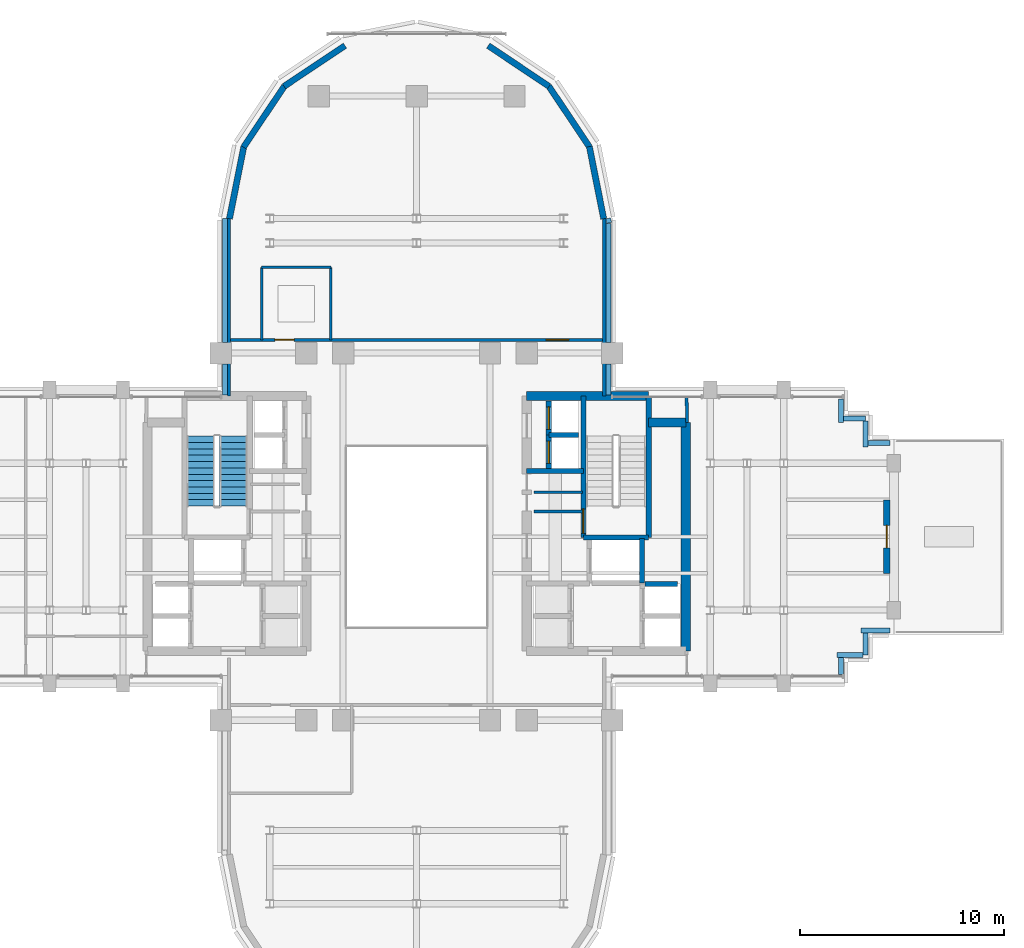
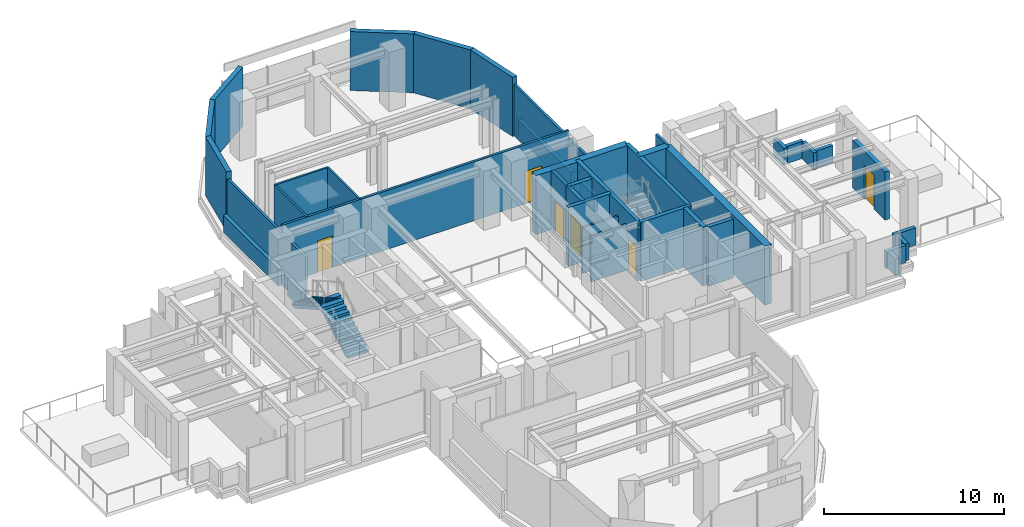
# One storey, part 10 of 16: 41 walls, 6 doors, 2 stair flights, 6 openings, 1 element without a shape of its own.
"""IFC4 building model written with IfcOpenShell, lengths in metres."""

import ifcopenshell
import ifcopenshell.guid

model = None  # the IFC model being written
_history = None  # IfcOwnerHistory: only IFC2X3 demands one
_inside = {}  # id of a spatial element -> (the spatial element, [elements in it])
_under = {}  # id of a project, library or spatial element -> (it, [spatial elements below it])
_declared = {}  # id of a project -> (the project, [libraries it declares])
_typed = {}  # id of a type object -> (the type object, [elements of that type])
_made_of = {}  # id of a material, layer set ... -> (it, [elements and type objects made of it])


def new_model(schema):
    """Start an empty IFC model of exactly this schema.

    Asked for "IFC4X3", IfcOpenShell would pick the latest addendum, in which some entities
    have other attributes; the version numbers below select the first issue.
    IFC2X3 requires an IfcOwnerHistory on every rooted entity: one is made here for all.
    """
    global model, _history
    if schema == "IFC4X3":
        model = ifcopenshell.file(schema_version=(4, 3, 0, 0))
    else:
        model = ifcopenshell.file(schema=schema)
    _inside.clear()
    _under.clear()
    _declared.clear()
    _typed.clear()
    _made_of.clear()
    _history = None
    if model.schema == "IFC2X3":
        org = make("IfcOrganization", Name="unknown")
        user = make(
            "IfcPersonAndOrganization",
            ThePerson=make("IfcPerson", FamilyName="unknown"),
            TheOrganization=org,
        )
        app = make(
            "IfcApplication",
            ApplicationDeveloper=org,
            Version="unknown",
            ApplicationFullName="unknown",
            ApplicationIdentifier="unknown",
        )
        _history = make(
            "IfcOwnerHistory",
            OwningUser=user,
            OwningApplication=app,
            ChangeAction="ADDED",
            CreationDate=0,
        )
    return model


def make(cls, **values):
    """One entity of the class cls with the attributes given. An attribute that is None is left unset."""
    return model.create_entity(
        cls, **{name: value for name, value in values.items() if value is not None}
    )


def rooted(cls, **values):
    """An entity with a GlobalId (a new one), such as an element, a storey or a relation."""
    return make(cls, GlobalId=ifcopenshell.guid.new(), OwnerHistory=_history, **values)


def si_unit(unit_type, name, prefix=None):
    """IfcSIUnit, for example si_unit("LENGTHUNIT", "METRE", prefix="MILLI")."""
    return make("IfcSIUnit", UnitType=unit_type, Prefix=prefix, Name=name)


def assignment(units):
    """IfcUnitAssignment: the units of a project."""
    return None if units is None else make("IfcUnitAssignment", Units=units)


def point(xyz):
    """IfcCartesianPoint."""
    return None if xyz is None else make("IfcCartesianPoint", Coordinates=xyz)


def direction(xyz):
    """IfcDirection."""
    return None if xyz is None else make("IfcDirection", DirectionRatios=xyz)


def frame(location, z_axis=None, x_axis=None):
    """IfcAxis2Placement3D, a coordinate frame: its origin and axes. An axis left out is left unset."""
    return make(
        "IfcAxis2Placement3D",
        Location=point(location),
        Axis=direction(z_axis),
        RefDirection=direction(x_axis),
    )


def frame_2d(location, x_axis=None):
    """IfcAxis2Placement2D, a coordinate frame in the plane: its origin and x axis."""
    return make(
        "IfcAxis2Placement2D", Location=point(location), RefDirection=direction(x_axis)
    )


def origin():
    """The frame at (0, 0, 0) with its axes left unset."""
    return frame((0.0, 0.0, 0.0))


def place(relative_to, where):
    """IfcLocalPlacement: puts the frame where relative to a parent placement (None: the world)."""
    return make(
        "IfcLocalPlacement", PlacementRelTo=relative_to, RelativePlacement=where
    )


def context(
    kind, dimensions, precision=None, world=None, true_north=None, identifier=None
):
    """IfcGeometricRepresentationContext, for example the 3D "Model" context."""
    return make(
        "IfcGeometricRepresentationContext",
        ContextIdentifier=identifier,
        ContextType=kind,
        CoordinateSpaceDimension=dimensions,
        Precision=precision,
        WorldCoordinateSystem=world,
        TrueNorth=true_north,
    )


def subcontext(parent, identifier, kind, view, scale=None):
    """IfcGeometricRepresentationSubContext, for example "Body" below "Model"."""
    return make(
        "IfcGeometricRepresentationSubContext",
        ContextIdentifier=identifier,
        ContextType=kind,
        ParentContext=parent,
        TargetScale=scale,
        TargetView=view,
    )


def project(units=None, contexts=None):
    """IfcProject with its units and contexts."""
    return rooted(
        "IfcProject",
        Name="project",
        RepresentationContexts=contexts,
        UnitsInContext=assignment(units),
    )


def spatial(cls, under=None, at=None, **own):
    """A site, building, storey or space (cls), placed at a placement, below another one or the project."""
    s = rooted(cls, ObjectPlacement=at, **own)
    if under is not None:
        _under.setdefault(under.id(), (under, []))[1].append(s)
    return s


def polyline(points):
    """IfcPolyline through the points."""
    return make("IfcPolyline", Points=[point(p) for p in points])


def profile(cls, at=None, kind="AREA", **sizes):
    """A parametric profile (cls). Its sizes go by their IFC names, for example OverallWidth=200.0."""
    return make(cls, ProfileType=kind, Position=at, **sizes)


def rectangle(**sizes):
    """IfcRectangleProfileDef."""
    return profile("IfcRectangleProfileDef", **sizes)


def outline(outer, holes=None, kind="AREA"):
    """IfcArbitraryClosedProfileDef: a profile drawn as a closed curve; with holes, ...WithVoids."""
    if holes is None:
        return make("IfcArbitraryClosedProfileDef", ProfileType=kind, OuterCurve=outer)
    return make(
        "IfcArbitraryProfileDefWithVoids",
        ProfileType=kind,
        OuterCurve=outer,
        InnerCurves=holes,
    )


def extrude(swept, where, along, depth):
    """IfcExtrudedAreaSolid: the profile swept, set in the frame where, extruded along a direction by depth."""
    return make(
        "IfcExtrudedAreaSolid",
        SweptArea=swept,
        Position=where,
        ExtrudedDirection=direction(along),
        Depth=depth,
    )


def shape(context_of_items, identifier, shape_type, items):
    """IfcShapeRepresentation: the items that make up one representation, for example the "Body"."""
    return make(
        "IfcShapeRepresentation",
        ContextOfItems=context_of_items,
        RepresentationIdentifier=identifier,
        RepresentationType=shape_type,
        Items=items,
    )


def source(mapping_origin, context_of_items, identifier, shape_type, items):
    """IfcRepresentationMap: a shape defined once, which mapped items show again and again."""
    return make(
        "IfcRepresentationMap",
        MappingOrigin=mapping_origin,
        MappedRepresentation=shape(context_of_items, identifier, shape_type, items),
    )


def transform(
    local_origin,
    x_axis=None,
    y_axis=None,
    z_axis=None,
    scale=None,
    scale2=None,
    scale3=None,
    uniform=True,
):
    """IfcCartesianTransformationOperator3D, or its non-uniform kind. x_axis, y_axis, z_axis: its Axis1, 2, 3."""
    if uniform:
        return make(
            "IfcCartesianTransformationOperator3D",
            Axis1=direction(x_axis),
            Axis2=direction(y_axis),
            LocalOrigin=point(local_origin),
            Scale=scale,
            Axis3=direction(z_axis),
        )
    return make(
        "IfcCartesianTransformationOperator3DnonUniform",
        Axis1=direction(x_axis),
        Axis2=direction(y_axis),
        LocalOrigin=point(local_origin),
        Scale=scale,
        Axis3=direction(z_axis),
        Scale2=scale2,
        Scale3=scale3,
    )


def mapped(mapping_source, mapping_target):
    """IfcMappedItem: shows the shape of a source again, moved by a transform."""
    return make(
        "IfcMappedItem", MappingSource=mapping_source, MappingTarget=mapping_target
    )


def material(Name=None, Category=None):
    """IfcMaterial."""
    return make("IfcMaterial", Name=Name, Category=Category)


def layer(
    of_material, thickness, ventilated=None, Name=None, Category=None, Priority=None
):
    """IfcMaterialLayer: one layer of a wall or slab, of a material (None: an air gap)."""
    return make(
        "IfcMaterialLayer",
        Material=of_material,
        LayerThickness=thickness,
        IsVentilated=ventilated,
        Name=Name,
        Category=Category,
        Priority=Priority,
    )


def layer_set(layers, Name=None):
    """IfcMaterialLayerSet."""
    return make("IfcMaterialLayerSet", MaterialLayers=layers, LayerSetName=Name)


def made_of(thing, what):
    """Note that an element or type object is made of a material, layer set ...; save() writes the relation."""
    if what is not None:
        _made_of.setdefault(what.id(), (what, []))[1].append(thing)
    return thing


def type_object(cls, material=None, **own):
    """A type object (cls), such as IfcWallType, which elements share."""
    return made_of(rooted(cls, **own), material)


def element(
    cls,
    number,
    at=None,
    inside=None,
    cuts=None,
    type_object=None,
    material=None,
    context=None,
    identifier="Body",
    shape_type=None,
    held_by="IfcProductDefinitionShape",
    body=None,
    shapes=None,
    **own,
):
    """One element of the class cls, such as IfcWall. Its Tag is "e" and its number.

    at: its placement. inside: the storey or other place that contains it. cuts: it is an
    opening in that element (IfcRelVoidsElement). A single representation is given by context,
    identifier, shape_type and body (its items); several are given by shapes. held_by: the class
    of the entity that holds the representations. save() writes the other relations.
    """
    e = rooted(cls, Tag="e%d" % number, ObjectPlacement=at, **own)
    if body is not None:
        shapes = [shape(context, identifier, shape_type, body)]
    if shapes is not None:
        e.Representation = make(held_by, Representations=shapes)
    if inside is not None:
        _inside.setdefault(inside.id(), (inside, []))[1].append(e)
    if cuts is not None:
        rooted(
            "IfcRelVoidsElement", RelatingBuildingElement=cuts, RelatedOpeningElement=e
        )
    if type_object is not None:
        _typed.setdefault(type_object.id(), (type_object, []))[1].append(e)
    return made_of(e, material)


def fill(opening, filler):
    """IfcRelFillsElement: the door or window that sits in an opening."""
    return rooted(
        "IfcRelFillsElement",
        RelatingOpeningElement=opening,
        RelatedBuildingElement=filler,
    )


def aggregate(whole, parts):
    """IfcRelAggregates: a whole, such as a stair, and the parts it consists of."""
    return rooted("IfcRelAggregates", RelatingObject=whole, RelatedObjects=parts)


def save(model, path):
    """Write the relations noted so far, then the file.

    IfcRelAggregates (storeys below a building ...), IfcRelContainedInSpatialStructure (elements
    in a storey), IfcRelDefinesByType, IfcRelAssociatesMaterial and IfcRelDeclares: one each for
    every whole, place, type object, material and project.
    """
    for whole, parts in _under.values():
        aggregate(whole, parts)
    for where, things in _inside.values():
        rooted(
            "IfcRelContainedInSpatialStructure",
            RelatedElements=things,
            RelatingStructure=where,
        )
    for kind, things in _typed.values():
        rooted("IfcRelDefinesByType", RelatedObjects=things, RelatingType=kind)
    for what, things in _made_of.values():
        rooted("IfcRelAssociatesMaterial", RelatedObjects=things, RelatingMaterial=what)
    for by, libraries in _declared.values():
        rooted("IfcRelDeclares", RelatingContext=by, RelatedDefinitions=libraries)
    model.write(path)


model = new_model("IFC4")

# Units and contexts
model_context = context("Model", 3, precision=1e-05, world=origin(), true_north=direction((0.0, 1.0)))
body_context = subcontext(model_context, "Body", "Model", "MODEL_VIEW")
ifc_project = project(units=[si_unit("LENGTHUNIT", "METRE"), si_unit("AREAUNIT", "SQUARE_METRE"), si_unit("VOLUMEUNIT", "CUBIC_METRE"), si_unit("PLANEANGLEUNIT", "RADIAN"), si_unit("MASSUNIT", "GRAM", prefix="KILO")], contexts=[model_context])

# Site, building, storey
site_placement = place(None, origin())
site = spatial("IfcSite", under=ifc_project, at=site_placement, CompositionType="ELEMENT")
building_placement = place(site_placement, origin())
building = spatial("IfcBuilding", under=site, at=building_placement, Name="Keilestroom Media Tower", CompositionType="ELEMENT")
storey_placement = place(building_placement, frame((0.0, 0.0, 93.0)))
storey = spatial("IfcBuildingStorey", under=building, at=storey_placement, Name="L24", CompositionType="ELEMENT", Elevation=93.0)

# Walls
ifc_material_1 = material(Name="Precast concrete C40/50", Category="concrete")
ifc_layer_1 = layer(ifc_material_1, 0.300048828125)
ifc_layer_set_1 = layer_set([ifc_layer_1], Name="Precast concrete C40/50")
wall_type_1 = type_object("IfcWallType", Name="Exterior-Masonry-Spandrel-Wall-300", PredefinedType="SOLIDWALL", material=ifc_layer_set_1)
for number, where, z_axis, x_axis, name in (
    (1, (9.1748046875, 15.585205078125, 0.0), (0.0, 0.0, 1.0), (-0.195114232679, 0.980780523974, 0.0), "L24 Lobe Facet Precast Frame Wall 01"),
    (2, (8.48193359375, 19.097412109375, 0.0), (0.0, 0.0, 1.0), (-0.555574187116, 0.831466970246, 0.0), "L24 Lobe Facet Precast Frame Wall 02"),
):
    element("IfcWall", number, at=place(storey_placement, frame(where, z_axis=z_axis, x_axis=x_axis)), inside=storey, type_object=wall_type_1, Name=name, PredefinedType="SOLIDWALL", context=body_context, shape_type="SweptSolid", body=[
        extrude(rectangle(XDim=3.608642578125, YDim=0.300048828125, at=frame_2d((1.80419921875, 0.0))), origin(), (0.0, 0.0, 1.0), 4.0),
    ])
for number, where, z_axis, x_axis, name in (
    (3, (6.497802734375, 22.0771484375, 0.0), (0.0, 0.0, 1.0), (-0.8314749531, 0.555562239868, 0.0), "L24 Lobe Facet Precast Frame Wall 03"),
    (4, (-3.510009765625, 24.073486328125, 0.0), (0.0, 0.0, 1.0), (-0.8314749531, -0.555562239868, 0.0), "L24 Lobe Facet Precast Frame Wall 04"),
):
    element("IfcWall", number, at=place(storey_placement, frame(where, z_axis=z_axis, x_axis=x_axis)), inside=storey, type_object=wall_type_1, Name=name, PredefinedType="SOLIDWALL", context=body_context, shape_type="SweptSolid", body=[
        extrude(rectangle(XDim=3.59326171875, YDim=0.300048828125, at=frame_2d((1.796630859375, 0.0))), origin(), (0.0, 0.0, 1.0), 4.0),
    ])
for number, where, z_axis, x_axis, name in (
    (5, (-6.47705078125, 22.097900390625, 0.0), (0.0, 0.0, 1.0), (-0.555574187116, -0.831466970246, 0.0), "L24 Lobe Facet Precast Frame Wall 05"),
    (6, (-8.470703125, 19.12451171875, 0.0), (0.0, 0.0, 1.0), (-0.195114232679, -0.980780523974, 0.0), "L24 Lobe Facet Precast Frame Wall 06"),
):
    element("IfcWall", number, at=place(storey_placement, frame(where, z_axis=z_axis, x_axis=x_axis)), inside=storey, type_object=wall_type_1, Name=name, PredefinedType="SOLIDWALL", context=body_context, shape_type="SweptSolid", body=[
        extrude(rectangle(XDim=3.608642578125, YDim=0.300048828125, at=frame_2d((1.80419921875, 0.0))), origin(), (0.0, 0.0, 1.0), 4.0),
    ])

# Wall, opening, door
wall_1_placement = place(storey_placement, frame((23.050048828125, -1.800048828125, 0.0), z_axis=(0.0, 0.0, 1.0), x_axis=(0.0, 1.0, 0.0)))
wall_1 = element("IfcWall", 7, at=wall_1_placement, inside=storey, type_object=wall_type_1, Name="L24 Terrace Threshold Wall SG24-E", PredefinedType="SOLIDWALL", context=body_context, shape_type="SweptSolid", body=[
    extrude(rectangle(XDim=3.60009765625, YDim=0.300048828125, at=frame_2d((1.800048828125, 0.0))), origin(), (0.0, 0.0, 1.0), 3.25),
])
opening_1_placement = place(wall_1_placement, frame((1.25, 0.0, 0.0)))
opening_1 = element("IfcOpeningElement", 8, at=opening_1_placement, cuts=wall_1, Name="Opening DE-02", PredefinedType="OPENING", context=body_context, shape_type="SweptSolid", body=[
    extrude(rectangle(XDim=1.10009765625, YDim=2.300048828125, at=frame_2d((0.550048828125, 1.14990234375))), frame((0.0, 0.16015625, 0.0), z_axis=(0.0, -1.0, 0.0), x_axis=(1.0, 0.0, 0.0)), (0.0, 0.0, 1.0), 0.320068359375),
])
ifc_material_2 = material(Name="Thermally Broken Aluminium & Laminated Glass", Category="aluminium")
door_type_1 = type_object("IfcDoorType", Name="Exterior-Entrance-And-Terrace-Door-DE-02", OperationType="NOTDEFINED", PredefinedType="DOOR", material=ifc_material_2)
shared_shape_1 = source(origin(), body_context, "Body", "SweptSolid", [
    extrude(rectangle(XDim=1.10009765625, YDim=2.300048828125, at=frame_2d((0.550048828125, 1.14990234375))), frame((0.0, 0.02490234375, 0.0), z_axis=(0.0, -1.0, 0.0), x_axis=(1.0, 0.0, 0.0)), (0.0, 0.0, 1.0), 0.050048828125),
])
door_1_placement = place(opening_1_placement, frame((1.10009765625, 0.0, 0.0), z_axis=(0.0, 0.0, 1.0), x_axis=(-1.0, 0.0, 0.0)))
door_1 = element("IfcDoor", 9, at=door_1_placement, inside=storey, type_object=door_type_1, Name="L24 Terrace Access Door DE-02 SG24-E", OperationType="SINGLE_SWING_RIGHT", OverallHeight=2.300048828125, OverallWidth=1.10009765625, PredefinedType="DOOR", context=body_context, shape_type="MappedRepresentation", body=[
    mapped(shared_shape_1, transform((0.0, 0.0, 0.0), x_axis=(1.0, 0.0, 0.0), y_axis=(0.0, 1.0, 0.0), z_axis=(0.0, 0.0, 1.0), scale=1.0)),
])
fill(opening_1, door_1)

# Walls
ifc_material_3 = material(Name="Gypsum Plasterboard & Steel Stud", Category="steel")
ifc_layer_2 = layer(ifc_material_3, 0.1201171875)
ifc_layer_set_2 = layer_set([ifc_layer_2], Name="Gypsum Plasterboard & Steel Stud")
wall_type_2 = type_object("IfcWallType", Name="Interior-Partition-Wall-120", PredefinedType="PARTITIONING", material=ifc_layer_set_2)
wall_2_placement = place(storey_placement, frame((5.75, 2.179931640625, 0.0), z_axis=(0.0, 0.0, 1.0), x_axis=(1.0, 0.0, 0.0)))
element("IfcWall", 10, at=wall_2_placement, inside=storey, type_object=wall_type_2, Name="L24 Interior Wall WP-L24-CNE-N", PredefinedType="PARTITIONING", context=body_context, shape_type="SweptSolid", body=[
    extrude(rectangle(XDim=2.389892578125, YDim=0.1201171875, at=frame_2d((1.19482421875, 0.0))), origin(), (0.0, 0.0, 1.0), 3.10009765625),
])
wall_3_placement = place(storey_placement, frame((-7.60009765625, 13.199951171875, 0.0), z_axis=(0.0, 0.0, 1.0), x_axis=(1.0, 0.0, 0.0)))
element("IfcWall", 11, at=wall_3_placement, inside=storey, type_object=wall_type_2, Name="L24 Interior Wall WP-L24-NL-WC-N", PredefinedType="PARTITIONING", context=body_context, shape_type="SweptSolid", body=[
    extrude(rectangle(XDim=3.400146484375, YDim=0.1201171875, at=frame_2d((1.7001953125, 0.0))), origin(), (0.0, 0.0, 1.0), 4.0),
])
for number, where, z_axis, x_axis, name in (
    (12, (-7.60009765625, 9.64990234375, 0.0), (0.0, 0.0, 1.0), (0.0, 1.0, 0.0), "L24 Interior Wall WP-L24-NL-WC-W"),
    (13, (-4.199951171875, 9.64990234375, 0.0), (0.0, 0.0, 1.0), (0.0, 1.0, 0.0), "L24 Interior Wall WP-L24-NL-WC-E"),
):
    element("IfcWall", number, at=place(storey_placement, frame(where, z_axis=z_axis, x_axis=x_axis)), inside=storey, type_object=wall_type_2, Name=name, PredefinedType="PARTITIONING", context=body_context, shape_type="SweptSolid", body=[
        extrude(rectangle(XDim=3.550048828125, YDim=0.1201171875, at=frame_2d((1.77490234375, 0.0))), origin(), (0.0, 0.0, 1.0), 4.0),
    ])
ifc_layer_3 = layer(ifc_material_3, 0.14990234375)
ifc_layer_set_3 = layer_set([ifc_layer_3], Name="Gypsum Plasterboard & Steel Stud")
wall_type_3 = type_object("IfcWallType", Name="Interior-Partition-Wall-150", PredefinedType="PARTITIONING", material=ifc_layer_set_3)
wall_4_placement = place(storey_placement, frame((5.75, 1.239990234375, 0.0), z_axis=(0.0, 0.0, 1.0), x_axis=(1.0, 0.0, 0.0)))
element("IfcWall", 14, at=wall_4_placement, inside=storey, type_object=wall_type_3, Name="L24 Interior Wall WP-L24-FFE-TOP", PredefinedType="PARTITIONING", context=body_context, shape_type="SweptSolid", body=[
    extrude(rectangle(XDim=2.389892578125, YDim=0.14990234375, at=frame_2d((1.19482421875, 0.0))), origin(), (0.0, 0.0, 1.0), 3.10009765625),
])

# Wall, openings, doors
wall_5_placement = place(storey_placement, frame((-9.199951171875, 9.64990234375, 0.0), z_axis=(0.0, 0.0, 1.0), x_axis=(1.0, 0.0, 0.0)))
wall_5 = element("IfcWall", 15, at=wall_5_placement, inside=storey, type_object=wall_type_3, Name="L24 Interior Wall WP-L24-NL-BASE", PredefinedType="PARTITIONING", context=body_context, shape_type="SweptSolid", body=[
    extrude(rectangle(XDim=18.39990234375, YDim=0.14990234375, at=frame_2d((9.199951171875, 0.0))), origin(), (0.0, 0.0, 1.0), 4.0),
])
opening_2_placement = place(wall_5_placement, frame((2.25, 0.0, 0.0)))
opening_2 = element("IfcOpeningElement", 16, at=opening_2_placement, cuts=wall_5, Name="Opening DI-03", PredefinedType="OPENING", context=body_context, shape_type="SweptSolid", body=[
    extrude(rectangle(XDim=0.949951171875, YDim=2.14990234375, at=frame_2d((0.47509765625, 1.074951171875))), frame((0.0, 0.0849609375, 0.0), z_axis=(0.0, -1.0, 0.0), x_axis=(1.0, 0.0, 0.0)), (0.0, 0.0, 1.0), 0.169921875),
])
opening_3_placement = place(wall_5_placement, frame((15.550048828125, 0.0, 0.0)))
opening_3 = element("IfcOpeningElement", 17, at=opening_3_placement, cuts=wall_5, Name="Opening DI-04", PredefinedType="OPENING", context=body_context, shape_type="SweptSolid", body=[
    extrude(rectangle(XDim=1.10009765625, YDim=2.199951171875, at=frame_2d((0.550048828125, 1.10009765625))), frame((0.0, 0.0849609375, 0.0), z_axis=(0.0, -1.0, 0.0), x_axis=(1.0, 0.0, 0.0)), (0.0, 0.0, 1.0), 0.169921875),
])
ifc_material_4 = material(Name="Lacquered European Oak Leaf", Category="wood")
door_type_2 = type_object("IfcDoorType", Name="Interior-Room-And-Suite-Door-DI-03", OperationType="NOTDEFINED", PredefinedType="DOOR", material=ifc_material_4)
shared_shape_2 = source(origin(), body_context, "Body", "SweptSolid", [
    extrude(rectangle(XDim=0.949951171875, YDim=2.14990234375, at=frame_2d((0.47509765625, 1.074951171875))), frame((0.0, 0.02490234375, 0.0), z_axis=(0.0, -1.0, 0.0), x_axis=(1.0, 0.0, 0.0)), (0.0, 0.0, 1.0), 0.050048828125),
])
door_2_placement = place(opening_2_placement, origin())
door_2 = element("IfcDoor", 18, at=door_2_placement, inside=storey, type_object=door_type_2, Name="L24 Interior Door DI-L24-DNL-WC", OperationType="SINGLE_SWING_RIGHT", OverallHeight=2.14990234375, OverallWidth=0.949951171875, PredefinedType="DOOR", context=body_context, shape_type="MappedRepresentation", body=[
    mapped(shared_shape_2, transform((0.0, 0.0, 0.0), x_axis=(1.0, 0.0, 0.0), y_axis=(0.0, 1.0, 0.0), z_axis=(0.0, 0.0, 1.0), scale=1.0)),
])
fill(opening_2, door_2)
ifc_material_5 = material(Name="Acoustic Glazed Aluminium Leaf", Category="aluminium")
door_type_3 = type_object("IfcDoorType", Name="Interior-Room-And-Suite-Door-DI-04", OperationType="NOTDEFINED", PredefinedType="DOOR", material=ifc_material_5)
shared_shape_3 = source(origin(), body_context, "Body", "SweptSolid", [
    extrude(rectangle(XDim=1.10009765625, YDim=2.199951171875, at=frame_2d((0.550048828125, 1.10009765625))), frame((0.0, 0.02490234375, 0.0), z_axis=(0.0, -1.0, 0.0), x_axis=(1.0, 0.0, 0.0)), (0.0, 0.0, 1.0), 0.050048828125),
])
door_3_placement = place(opening_3_placement, origin())
door_3 = element("IfcDoor", 19, at=door_3_placement, inside=storey, type_object=door_type_3, Name="L24 Interior Door DI-L24-DNL-HALL", OperationType="SINGLE_SWING_LEFT", OverallHeight=2.199951171875, OverallWidth=1.10009765625, PredefinedType="DOOR", context=body_context, shape_type="MappedRepresentation", body=[
    mapped(shared_shape_3, transform((0.0, 0.0, 0.0), x_axis=(1.0, 0.0, 0.0), y_axis=(0.0, 1.0, 0.0), z_axis=(0.0, 0.0, 1.0), scale=1.0)),
])
fill(opening_3, door_3)

# Walls
for number, where, z_axis, x_axis, name in (
    (20, (-9.199951171875, 6.89990234375, 0.0), (0.0, 0.0, 1.0), (0.0, 1.0, 0.0), "L24 Interior Wall WP-L24-NL-CHKW"),
    (21, (9.199951171875, 6.89990234375, 0.0), (0.0, 0.0, 1.0), (0.0, 1.0, 0.0), "L24 Interior Wall WP-L24-NL-CHKE"),
):
    element("IfcWall", number, at=place(storey_placement, frame(where, z_axis=z_axis, x_axis=x_axis)), inside=storey, type_object=wall_type_3, Name=name, PredefinedType="PARTITIONING", context=body_context, shape_type="SweptSolid", body=[
        extrude(rectangle(XDim=8.780029296875, YDim=0.14990234375, at=frame_2d((4.39013671875, 0.0))), origin(), (0.0, 0.0, 1.0), 3.5),
    ])
wall_6_placement = place(storey_placement, frame((13.260009765625, 5.60009765625, 0.0), z_axis=(0.0, 0.0, 1.0), x_axis=(-0.016013571389, 0.999871774545, 0.0)))
element("IfcWall", 22, at=wall_6_placement, inside=storey, type_object=wall_type_3, Name="L24 Interior Wall WP-L24-EA-ENTN", PredefinedType="PARTITIONING", context=body_context, shape_type="SweptSolid", body=[
    extrude(rectangle(XDim=1.250244140625, YDim=0.14990234375, at=frame_2d((0.625, 0.0))), origin(), (0.0, 0.0, 1.0), 4.0),
])
ifc_material_6 = material(Name="Concrete C55/67", Category="concrete")
ifc_layer_4 = layer(ifc_material_6, 0.449951171875)
ifc_layer_set_4 = layer_set([ifc_layer_4], Name="Concrete C55/67")
wall_type_4 = type_object("IfcWallType", Name="Reinforced-Concrete-Core-Shear-Wall-450", PredefinedType="SHEAR", material=ifc_layer_set_4)
wall_7_placement = place(storey_placement, frame((13.199951171875, -5.60009765625, 0.0), z_axis=(0.0, 0.0, 1.0), x_axis=(0.0, 1.0, 0.0)))
element("IfcWall", 23, at=wall_7_placement, inside=storey, type_object=wall_type_4, Name="L24 Core Shear Wall WL-L24-CORE-E-OUT", PredefinedType="SHEAR", context=body_context, shape_type="SweptSolid", body=[
    extrude(rectangle(XDim=11.2001953125, YDim=0.449951171875, at=frame_2d((5.60009765625, 0.0))), origin(), (0.0, 0.0, 1.0), 4.0),
])
wall_8_placement = place(storey_placement, frame((5.39990234375, 6.89990234375, 0.0), z_axis=(0.0, 0.0, 1.0), x_axis=(1.0, 0.0, 0.0)))
element("IfcWall", 24, at=wall_8_placement, inside=storey, type_object=wall_type_4, Name="L24 Core Shear Wall WL-L24-CORE-E-N", PredefinedType="SHEAR", context=body_context, shape_type="SweptSolid", body=[
    extrude(rectangle(XDim=5.981201171875, YDim=0.449951171875, at=frame_2d((2.99072265625, 0.0))), origin(), (0.0, 0.0, 1.0), 4.0),
])
wall_9_placement = place(storey_placement, frame((11.381103515625, 5.60009765625, 0.0), z_axis=(0.0, 0.0, 1.0), x_axis=(1.0, 0.0, 0.0)))
element("IfcWall", 25, at=wall_9_placement, inside=storey, type_object=wall_type_4, Name="L24 Core Shear Wall WL-L24-CNE-N", PredefinedType="SHEAR", context=body_context, shape_type="SweptSolid", body=[
    extrude(rectangle(XDim=1.81884765625, YDim=0.449951171875, at=frame_2d((0.909423828125, 0.0))), origin(), (0.0, 0.0, 1.0), 4.0),
])
ifc_material_7 = material(Name="Concrete C50/60", Category="concrete")
ifc_layer_5 = layer(ifc_material_7, 0.25)
ifc_layer_set_5 = layer_set([ifc_layer_5], Name="Concrete C50/60")
wall_type_5 = type_object("IfcWallType", Name="Reinforced-Concrete-Shaft-Wall-250", PredefinedType="SOLIDWALL", material=ifc_layer_set_5)
wall_10_placement = place(storey_placement, frame((5.39990234375, 3.219970703125, 0.0), z_axis=(0.0, 0.0, 1.0), x_axis=(1.0, 0.0, 0.0)))
element("IfcWall", 26, at=wall_10_placement, inside=storey, type_object=wall_type_5, Name="L24 Core Shear Wall WL-L24-CORE-E-FFN", PredefinedType="SOLIDWALL", context=body_context, shape_type="SweptSolid", body=[
    extrude(rectangle(XDim=2.780029296875, YDim=0.25, at=frame_2d((1.39013671875, 0.0))), origin(), (0.0, 0.0, 1.0), 4.0),
])

# Wall, opening, door
wall_11_placement = place(storey_placement, frame((8.178955078125, -0.041015625, 0.0), z_axis=(0.0, 0.0, 1.0), x_axis=(0.0, 1.0, 0.0)))
wall_11 = element("IfcWall", 27, at=wall_11_placement, inside=storey, type_object=wall_type_5, Name="L24 Core Shear Wall WL-L24-STW-E-NEAR", PredefinedType="SOLIDWALL", context=body_context, shape_type="SweptSolid", body=[
    extrude(rectangle(XDim=6.94091796875, YDim=0.25, at=frame_2d((3.470458984375, 0.0))), origin(), (0.0, 0.0, 1.0), 4.0),
])
opening_4_placement = place(wall_11_placement, frame((0.199951171875, 0.0, 0.0)))
opening_4 = element("IfcOpeningElement", 28, at=opening_4_placement, cuts=wall_11, Name="Opening DI-01S", PredefinedType="OPENING", context=body_context, shape_type="SweptSolid", body=[
    extrude(rectangle(XDim=1.199951171875, YDim=2.199951171875, at=frame_2d((0.60009765625, 1.10009765625))), frame((0.0, 0.135009765625, 0.0), z_axis=(0.0, -1.0, 0.0), x_axis=(1.0, 0.0, 0.0)), (0.0, 0.0, 1.0), 0.27001953125),
])
ifc_material_8 = material(Name="Powder-Coated Steel Fire Leaf", Category="steel")
door_type_4 = type_object("IfcDoorType", Name="Interior-Stair-And-Core-Fire-Door-DI-01", OperationType="NOTDEFINED", PredefinedType="DOOR", material=ifc_material_8)
shared_shape_4 = source(origin(), body_context, "Body", "SweptSolid", [
    extrude(rectangle(XDim=1.199951171875, YDim=2.199951171875, at=frame_2d((0.60009765625, 1.10009765625))), frame((0.0, 0.02490234375, 0.0), z_axis=(0.0, -1.0, 0.0), x_axis=(1.0, 0.0, 0.0)), (0.0, 0.0, 1.0), 0.050048828125),
])
door_4_placement = place(opening_4_placement, origin())
door_4 = element("IfcDoor", 29, at=door_4_placement, inside=storey, type_object=door_type_4, Name="L24 Escape Stair ST-2 Fire Door", OperationType="SINGLE_SWING_RIGHT", OverallHeight=2.199951171875, OverallWidth=1.199951171875, PredefinedType="DOOR", context=body_context, shape_type="MappedRepresentation", body=[
    mapped(shared_shape_4, transform((0.0, 0.0, 0.0), x_axis=(1.0, 0.0, 0.0), y_axis=(0.0, 1.0, 0.0), z_axis=(0.0, 0.0, 1.0), scale=1.0)),
])
fill(opening_4, door_4)

# Walls
wall_12_placement = place(storey_placement, frame((11.381103515625, -0.041015625, 0.0), z_axis=(0.0, 0.0, 1.0), x_axis=(0.0, 1.0, 0.0)))
element("IfcWall", 30, at=wall_12_placement, inside=storey, type_object=wall_type_5, Name="L24 Core Shear Wall WL-L24-STW-E-FAR", PredefinedType="SOLIDWALL", context=body_context, shape_type="SweptSolid", body=[
    extrude(rectangle(XDim=6.94091796875, YDim=0.25, at=frame_2d((3.470458984375, 0.0))), origin(), (0.0, 0.0, 1.0), 4.0),
])
wall_13_placement = place(storey_placement, frame((8.178955078125, -0.041015625, 0.0), z_axis=(0.0, 0.0, 1.0), x_axis=(1.0, 0.0, 0.0)))
element("IfcWall", 31, at=wall_13_placement, inside=storey, type_object=wall_type_5, Name="L24 Core Shear Wall WL-L24-STW-E-S", PredefinedType="SOLIDWALL", context=body_context, shape_type="SweptSolid", body=[
    extrude(rectangle(XDim=3.2021484375, YDim=0.25, at=frame_2d((1.60107421875, 0.0))), origin(), (0.0, 0.0, 1.0), 4.0),
])
wall_14_placement = place(storey_placement, frame((11.050048828125, -2.280029296875, 0.0), z_axis=(0.0, 0.0, 1.0), x_axis=(0.0, 1.0, 0.0)))
element("IfcWall", 32, at=wall_14_placement, inside=storey, type_object=wall_type_5, Name="L24 Core Shear Wall WL-L24-LSH-FFL-2-E", PredefinedType="SOLIDWALL", context=body_context, shape_type="SweptSolid", body=[
    extrude(rectangle(XDim=2.179931640625, YDim=0.25, at=frame_2d((1.08984375, 0.0))), origin(), (0.0, 0.0, 1.0), 4.0),
])
wall_15_placement = place(storey_placement, frame((11.208984375, -2.320068359375, 0.0), z_axis=(0.0, 0.0, 1.0), x_axis=(1.0, 0.0, 0.0)))
element("IfcWall", 33, at=wall_15_placement, inside=storey, type_object=wall_type_5, Name="L24 Core Shear Wall WL-L24-LSH-PL-L4-N", PredefinedType="SOLIDWALL", context=body_context, shape_type="SweptSolid", body=[
    extrude(rectangle(XDim=1.58203125, YDim=0.25, at=frame_2d((0.791015625, 0.0))), origin(), (0.0, 0.0, 1.0), 4.0),
])

# Wall, opening, door
wall_16_placement = place(storey_placement, frame((6.47998046875, 3.300048828125, 0.0), z_axis=(0.0, 0.0, 1.0), x_axis=(0.0, 1.0, 0.0)))
wall_16 = element("IfcWall", 34, at=wall_16_placement, inside=storey, type_object=wall_type_5, Name="L24 Core Shear Wall WL-L24-LSH-PL-H3-W", PredefinedType="SOLIDWALL", context=body_context, shape_type="SweptSolid", body=[
    extrude(rectangle(XDim=1.679931640625, YDim=0.25, at=frame_2d((0.83984375, 0.0))), origin(), (0.0, 0.0, 1.0), 4.0),
])
opening_5_placement = place(wall_16_placement, frame((0.2900390625, 0.0, 0.0)))
opening_5 = element("IfcOpeningElement", 35, at=opening_5_placement, cuts=wall_16, Name="Opening LD-01", PredefinedType="OPENING", context=body_context, shape_type="SweptSolid", body=[
    extrude(rectangle(XDim=1.10009765625, YDim=2.199951171875, at=frame_2d((0.550048828125, 1.10009765625))), frame((0.0, 0.135009765625, 0.0), z_axis=(0.0, -1.0, 0.0), x_axis=(1.0, 0.0, 0.0)), (0.0, 0.0, 1.0), 0.27001953125),
])
ifc_material_9 = material(Name="Brushed Stainless Steel Sliding Leaf", Category="steel")
door_type_5 = type_object("IfcDoorType", Name="Lift-Landing-Sliding-Door-LD-01", OperationType="SLIDING_TO_LEFT", PredefinedType="DOOR", material=ifc_material_9)
door_5_placement = place(opening_5_placement, origin())
door_5 = element("IfcDoor", 36, at=door_5_placement, inside=storey, type_object=door_type_5, Name="L24 Lift PL-H3 Landing Sliding Door", OperationType="SLIDING_TO_LEFT", OverallHeight=2.199951171875, OverallWidth=1.10009765625, PredefinedType="DOOR", context=body_context, shape_type="MappedRepresentation", body=[
    mapped(shared_shape_3, transform((0.0, 0.0, 0.0), x_axis=(1.0, 0.0, 0.0), y_axis=(0.0, 1.0, 0.0), z_axis=(0.0, 0.0, 1.0), scale=1.0)),
])
fill(opening_5, door_5)

# Wall
wall_17_placement = place(storey_placement, frame((6.47998046875, 4.97998046875, 0.0), z_axis=(0.0, 0.0, 1.0), x_axis=(1.0, 0.0, 0.0)))
element("IfcWall", 37, at=wall_17_placement, inside=storey, type_object=wall_type_5, Name="L24 Core Shear Wall WL-L24-LSH-PL-H3-N", PredefinedType="SOLIDWALL", context=body_context, shape_type="SweptSolid", body=[
    extrude(rectangle(XDim=1.469970703125, YDim=0.25, at=frame_2d((0.73486328125, 0.0))), origin(), (0.0, 0.0, 1.0), 4.0),
])

# Wall, opening, door
wall_18_placement = place(storey_placement, frame((6.47998046875, 4.97998046875, 0.0), z_axis=(0.0, 0.0, 1.0), x_axis=(0.0, 1.0, 0.0)))
wall_18 = element("IfcWall", 38, at=wall_18_placement, inside=storey, type_object=wall_type_5, Name="L24 Core Shear Wall WL-L24-LSH-PL-H4-W", PredefinedType="SOLIDWALL", context=body_context, shape_type="SweptSolid", body=[
    extrude(rectangle(XDim=1.669921875, YDim=0.25, at=frame_2d((0.8349609375, 0.0))), origin(), (0.0, 0.0, 1.0), 4.0),
])
opening_6_placement = place(wall_18_placement, frame((0.284912109375, 0.0, 0.0)))
opening_6 = element("IfcOpeningElement", 39, at=opening_6_placement, cuts=wall_18, Name="Opening LD-01", PredefinedType="OPENING", context=body_context, shape_type="SweptSolid", body=[
    extrude(rectangle(XDim=1.10009765625, YDim=2.199951171875, at=frame_2d((0.550048828125, 1.10009765625))), frame((0.0, 0.135009765625, 0.0), z_axis=(0.0, -1.0, 0.0), x_axis=(1.0, 0.0, 0.0)), (0.0, 0.0, 1.0), 0.27001953125),
])
door_6_placement = place(opening_6_placement, origin())
door_6 = element("IfcDoor", 40, at=door_6_placement, inside=storey, type_object=door_type_5, Name="L24 Lift PL-H4 Landing Sliding Door", OperationType="SLIDING_TO_LEFT", OverallHeight=2.199951171875, OverallWidth=1.10009765625, PredefinedType="DOOR", context=body_context, shape_type="MappedRepresentation", body=[
    mapped(shared_shape_3, transform((0.0, 0.0, 0.0), x_axis=(1.0, 0.0, 0.0), y_axis=(0.0, 1.0, 0.0), z_axis=(0.0, 0.0, 1.0), scale=1.0)),
])
fill(opening_6, door_6)

# Walls
ifc_layer_6 = layer(ifc_material_1, 0.239990234375)
ifc_layer_set_6 = layer_set([ifc_layer_6], Name="Precast concrete C40/50")
wall_type_6 = type_object("IfcWallType", Name="Roof-And-Terrace-Parapet-Wall-240", PredefinedType="PARAPET", material=ifc_layer_set_6)
wall_19_placement = place(storey_placement, frame((23.199951171875, -4.60009765625, 0.0), z_axis=(0.0, 0.0, 1.0), x_axis=(-1.0, 0.0, 0.0)))
element("IfcWall", 41, at=wall_19_placement, inside=storey, type_object=wall_type_6, Name="L24 Perimeter Edge Parapet Wall 01", PredefinedType="PARAPET", context=body_context, shape_type="SweptSolid", body=[
    extrude(rectangle(XDim=1.39990234375, YDim=0.239990234375, at=frame_2d((0.699951171875, 0.0))), origin(), (0.0, 0.0, 1.0), 1.14990234375),
])
wall_20_placement = place(storey_placement, frame((22.0, -4.722900390625, 0.0), z_axis=(0.0, 0.0, 1.0), x_axis=(0.0, -1.0, 0.0)))
element("IfcWall", 42, at=wall_20_placement, inside=storey, type_object=wall_type_6, Name="L24 Perimeter Edge Parapet Wall 02", PredefinedType="PARAPET", context=body_context, shape_type="SweptSolid", body=[
    extrude(rectangle(XDim=1.0771484375, YDim=0.239990234375, at=frame_2d((0.53857421875, 0.0))), origin(), (0.0, 0.0, 1.0), 1.14990234375),
])
wall_21_placement = place(storey_placement, frame((21.876953125, -5.800048828125, 0.0), z_axis=(0.0, 0.0, 1.0), x_axis=(-1.0, 0.0, 0.0)))
element("IfcWall", 43, at=wall_21_placement, inside=storey, type_object=wall_type_6, Name="L24 Perimeter Edge Parapet Wall 03", PredefinedType="PARAPET", context=body_context, shape_type="SweptSolid", body=[
    extrude(rectangle(XDim=1.27685546875, YDim=0.239990234375, at=frame_2d((0.638427734375, 0.0))), origin(), (0.0, 0.0, 1.0), 1.14990234375),
])
wall_22_placement = place(storey_placement, frame((20.800048828125, -5.923095703125, 0.0), z_axis=(0.0, 0.0, 1.0), x_axis=(0.0, -1.0, 0.0)))
element("IfcWall", 44, at=wall_22_placement, inside=storey, type_object=wall_type_6, Name="L24 Perimeter Edge Parapet Wall 04", PredefinedType="PARAPET", context=body_context, shape_type="SweptSolid", body=[
    extrude(rectangle(XDim=0.833984375, YDim=0.239990234375, at=frame_2d((0.4169921875, 0.0))), origin(), (0.0, 0.0, 1.0), 1.14990234375),
])
wall_23_placement = place(storey_placement, frame((-9.39990234375, 6.952880859375, 0.0), z_axis=(0.0, 0.0, 1.0), x_axis=(0.0, 1.0, 0.0)))
element("IfcWall", 45, at=wall_23_placement, inside=storey, type_object=wall_type_6, Name="L24 Perimeter Edge Parapet Wall 19", PredefinedType="PARAPET", context=body_context, shape_type="SweptSolid", body=[
    extrude(rectangle(XDim=1.51904296875, YDim=0.239990234375, at=frame_2d((0.759521484375, 0.0))), origin(), (0.0, 0.0, 1.0), 1.14990234375),
])
wall_24_placement = place(storey_placement, frame((-9.39990234375, 9.528076171875, 0.0), z_axis=(0.0, 0.0, 1.0), x_axis=(0.0, 1.0, 0.0)))
element("IfcWall", 46, at=wall_24_placement, inside=storey, type_object=wall_type_6, Name="L24 Perimeter Edge Parapet Wall 20", PredefinedType="PARAPET", context=body_context, shape_type="SweptSolid", body=[
    extrude(rectangle(XDim=6.07470703125, YDim=0.239990234375, at=frame_2d((3.037353515625, 0.0))), origin(), (0.0, 0.0, 1.0), 1.14990234375),
])
wall_25_placement = place(storey_placement, frame((9.395263671875, 15.604248046875, 0.0), z_axis=(0.0, 0.0, 1.0), x_axis=(0.194652052864, -0.980872355771, 0.0)))
element("IfcWall", 47, at=wall_25_placement, inside=storey, type_object=wall_type_6, Name="L24 Perimeter Edge Parapet Wall 21", PredefinedType="PARAPET", context=body_context, shape_type="SweptSolid", body=[
    extrude(rectangle(XDim=0.224609375, YDim=0.239990234375, at=frame_2d((0.1123046875, 0.0))), origin(), (0.0, 0.0, 1.0), 1.14990234375),
])
wall_26_placement = place(storey_placement, frame((9.39990234375, 15.357666015625, 0.0), z_axis=(0.0, 0.0, 1.0), x_axis=(0.0, -1.0, 0.0)))
element("IfcWall", 48, at=wall_26_placement, inside=storey, type_object=wall_type_6, Name="L24 Perimeter Edge Parapet Wall 22", PredefinedType="PARAPET", context=body_context, shape_type="SweptSolid", body=[
    extrude(rectangle(XDim=5.82958984375, YDim=0.239990234375, at=frame_2d((2.914794921875, 0.0))), origin(), (0.0, 0.0, 1.0), 1.14990234375),
])
wall_27_placement = place(storey_placement, frame((9.39990234375, 8.471923828125, 0.0), z_axis=(0.0, 0.0, 1.0), x_axis=(0.0, -1.0, 0.0)))
element("IfcWall", 49, at=wall_27_placement, inside=storey, type_object=wall_type_6, Name="L24 Perimeter Edge Parapet Wall 23", PredefinedType="PARAPET", context=body_context, shape_type="SweptSolid", body=[
    extrude(rectangle(XDim=1.51904296875, YDim=0.239990234375, at=frame_2d((0.759521484375, 0.0))), origin(), (0.0, 0.0, 1.0), 1.14990234375),
])
wall_28_placement = place(storey_placement, frame((20.800048828125, 6.757080078125, 0.0), z_axis=(0.0, 0.0, 1.0), x_axis=(0.0, -1.0, 0.0)))
element("IfcWall", 50, at=wall_28_placement, inside=storey, type_object=wall_type_6, Name="L24 Perimeter Edge Parapet Wall 24", PredefinedType="PARAPET", context=body_context, shape_type="SweptSolid", body=[
    extrude(rectangle(XDim=1.156982421875, YDim=0.239990234375, at=frame_2d((0.57861328125, 0.0))), origin(), (0.0, 0.0, 1.0), 1.14990234375),
])
wall_29_placement = place(storey_placement, frame((20.923095703125, 5.800048828125, 0.0), z_axis=(0.0, 0.0, 1.0), x_axis=(1.0, 0.0, 0.0)))
element("IfcWall", 51, at=wall_29_placement, inside=storey, type_object=wall_type_6, Name="L24 Perimeter Edge Parapet Wall 25", PredefinedType="PARAPET", context=body_context, shape_type="SweptSolid", body=[
    extrude(rectangle(XDim=1.076904296875, YDim=0.239990234375, at=frame_2d((0.53857421875, 0.0))), origin(), (0.0, 0.0, 1.0), 1.14990234375),
])
wall_30_placement = place(storey_placement, frame((22.0, 5.677001953125, 0.0), z_axis=(0.0, 0.0, 1.0), x_axis=(0.0, -1.0, 0.0)))
element("IfcWall", 52, at=wall_30_placement, inside=storey, type_object=wall_type_6, Name="L24 Perimeter Edge Parapet Wall 26", PredefinedType="PARAPET", context=body_context, shape_type="SweptSolid", body=[
    extrude(rectangle(XDim=1.277099609375, YDim=0.239990234375, at=frame_2d((0.638671875, 0.0))), origin(), (0.0, 0.0, 1.0), 1.14990234375),
])
wall_31_placement = place(storey_placement, frame((22.123046875, 4.60009765625, 0.0), z_axis=(0.0, 0.0, 1.0), x_axis=(1.0, 0.0, 0.0)))
element("IfcWall", 53, at=wall_31_placement, inside=storey, type_object=wall_type_6, Name="L24 Perimeter Edge Parapet Wall 27", PredefinedType="PARAPET", context=body_context, shape_type="SweptSolid", body=[
    extrude(rectangle(XDim=1.076904296875, YDim=0.239990234375, at=frame_2d((0.53857421875, 0.0))), origin(), (0.0, 0.0, 1.0), 1.14990234375),
])

# Stair, stair flights
ifc_material_10 = material(Name="Concrete C45/55", Category="concrete")
stair_type = type_object("IfcStairType", Name="Enclosed-Dog-Leg-Stair-ST-CORE", PredefinedType="HALF_TURN_STAIR", material=ifc_material_10)
stair_placement = place(storey_placement, origin())
stair = element("IfcStair", 54, at=stair_placement, inside=storey, type_object=stair_type, Name="L24 West Core Escape Stair ST-1", PredefinedType="HALF_TURN_STAIR")
stair_flight_type = type_object("IfcStairFlightType", Name="Precast-Concrete-Stair-Flight-Core-160", PredefinedType="STRAIGHT", material=ifc_material_1)
stair_flight_1_placement = place(storey_placement, frame((-8.97998046875, 1.5, 0.0), z_axis=(0.0, 0.0, 1.0), x_axis=(0.0, 1.0, 0.0)))
stair_flight_1 = element("IfcStairFlight", 55, at=stair_flight_1_placement, type_object=stair_flight_type, Name="ST-1 flight 1", NumberOfRisers=12, NumberOfTreads=11, PredefinedType="STRAIGHT", RiserHeight=0.175, TreadLength=0.312, context=body_context, shape_type="SweptSolid", body=[
    extrude(outline(polyline([(0.0, 0.0), (0.0, 0.175048828125), (0.31201171875, 0.175048828125), (0.31201171875, 0.35009765625), (0.6240234375, 0.35009765625), (0.6240234375, 0.52490234375), (0.93603515625, 0.52490234375), (0.93603515625, 0.699951171875), (1.248046875, 0.699951171875), (1.248046875, 0.875), (1.56005859375, 0.875), (1.56005859375, 1.050048828125), (1.8720703125, 1.050048828125), (1.8720703125, 1.22509765625), (2.18408203125, 1.22509765625), (2.18408203125, 1.39990234375), (2.49609375, 1.39990234375), (2.49609375, 1.574951171875), (2.80810546875, 1.574951171875), (2.80810546875, 1.75), (3.1201171875, 1.75), (3.1201171875, 1.925048828125), (3.431884765625, 1.925048828125), (3.431884765625, 2.10009765625), (3.431884765625, 1.74169921875), (0.326904296875, 0.0), (0.0, 0.0)])), frame((0.0, 0.68017578125, 0.0), z_axis=(0.0, -1.0, 0.0), x_axis=(1.0, 0.0, 0.0)), (0.0, 0.0, 1.0), 1.360107421875),
])
stair_flight_2_placement = place(storey_placement, frame((-10.580078125, 4.931884765625, 2.10009765625), z_axis=(0.0, 0.0, 1.0), x_axis=(0.0, -1.0, 0.0)))
stair_flight_2 = element("IfcStairFlight", 56, at=stair_flight_2_placement, type_object=stair_flight_type, Name="ST-1 flight 2", NumberOfRisers=12, NumberOfTreads=11, PredefinedType="STRAIGHT", RiserHeight=0.175, TreadLength=0.312, context=body_context, shape_type="SweptSolid", body=[
    extrude(outline(polyline([(0.0, 0.0), (0.0, 0.175048828125), (0.31201171875, 0.175048828125), (0.31201171875, 0.35009765625), (0.6240234375, 0.35009765625), (0.6240234375, 0.52490234375), (0.93603515625, 0.52490234375), (0.93603515625, 0.699951171875), (1.248046875, 0.699951171875), (1.248046875, 0.875), (1.56005859375, 0.875), (1.56005859375, 1.050048828125), (1.8720703125, 1.050048828125), (1.8720703125, 1.22509765625), (2.18408203125, 1.22509765625), (2.18408203125, 1.39990234375), (2.49609375, 1.39990234375), (2.49609375, 1.574951171875), (2.80810546875, 1.574951171875), (2.80810546875, 1.75), (3.1201171875, 1.75), (3.1201171875, 1.925048828125), (3.431884765625, 1.925048828125), (3.431884765625, 2.10009765625), (3.431884765625, 1.74169921875), (0.326904296875, 0.0), (0.0, 0.0)])), frame((0.0, 0.68017578125, 0.0), z_axis=(0.0, -1.0, 0.0), x_axis=(1.0, 0.0, 0.0)), (0.0, 0.0, 1.0), 1.360107421875),
])
aggregate(stair, [stair_flight_1, stair_flight_2])

save(model, "model.ifc")
